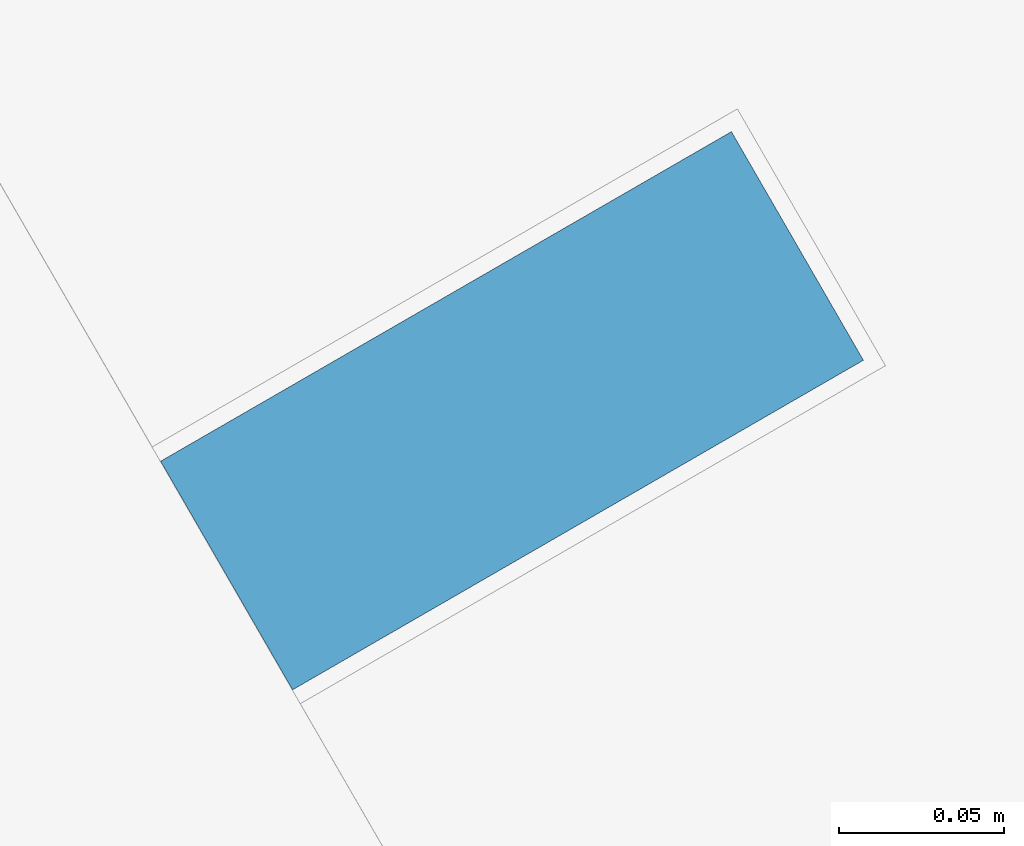
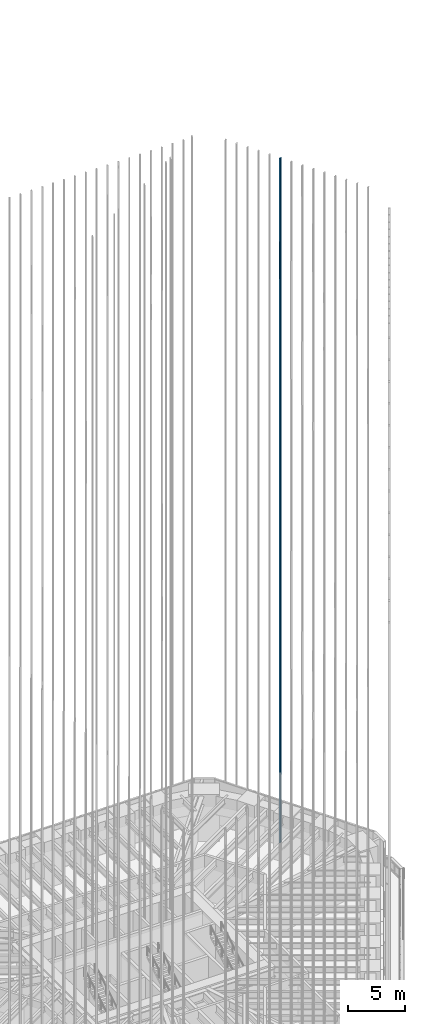
# One storey, part 188 of 228: 1 member, 1 element without a shape of its own.
"""IFC4 building model written with IfcOpenShell, lengths in metres."""

from ifc_helpers import new_model, si_unit, direction, frame, origin, origin_2d, place, context, subcontext, project, spatial, rectangle, extrude, material, material_profile, profile_set, type_object, element, aggregate, save


model = new_model("IFC4")

# Units and contexts
model_context = context("Model", 3, precision=1e-05, world=origin(), true_north=direction((0.0, 1.0)))
body_context = subcontext(model_context, "Body", "Model", "MODEL_VIEW")
ifc_project = project(units=[si_unit("LENGTHUNIT", "METRE"), si_unit("AREAUNIT", "SQUARE_METRE"), si_unit("VOLUMEUNIT", "CUBIC_METRE"), si_unit("PLANEANGLEUNIT", "RADIAN"), si_unit("MASSUNIT", "GRAM", prefix="KILO")], contexts=[model_context])

# Site, building, storey
site_placement = place(None, origin())
site = spatial("IfcSite", under=ifc_project, at=site_placement, CompositionType="ELEMENT")
building_placement = place(site_placement, origin())
building = spatial("IfcBuilding", under=site, at=building_placement, Name="Sandreach Pilgrim Tower", CompositionType="ELEMENT")
storey_placement = place(building_placement, frame((0.0, 0.0, 178.199951171875)))
storey = spatial("IfcBuildingStorey", under=building, at=storey_placement, Name="L44", CompositionType="ELEMENT", Elevation=178.199951171875)

# Curtain wall, member
ifc_material_1 = material(Name="Aluminium framed curtain wall", Category="aluminium")
curtain_wall_type = type_object("IfcCurtainWallType", Name="Upper hotel tower curtain wall", PredefinedType="NOTDEFINED", material=ifc_material_1)
curtain_wall_placement = place(storey_placement, origin())
curtain_wall = element("IfcCurtainWall", 1, at=curtain_wall_placement, inside=storey, type_object=curtain_wall_type, Name="CW-3 L44 NE", PredefinedType="NOTDEFINED")
ifc_material_2 = material(Name="Extruded terracotta on aluminium core", Category="masonry")
ifc_material_profile = material_profile(ifc_material_2, rectangle(XDim=0.080078125, YDim=0.199951171875, at=origin_2d()), Name="TBE 80X200")
ifc_profile_set = profile_set([ifc_material_profile], Name="Extruded terracotta on aluminium core")
member_type = type_object("IfcMemberType", Name="Terracotta baguette east", PredefinedType="USERDEFINED", material=ifc_profile_set)
member_placement = place(storey_placement, frame((22.485107421875, 14.905029296875, 0.0), z_axis=(0.0, 0.0, 1.0), x_axis=(0.5, -0.866025403784, 0.0)))
member = element("IfcMember", 2, at=member_placement, type_object=member_type, Name="Baguette Z3 NE06", ObjectType="BAGUETTE", PredefinedType="USERDEFINED", context=body_context, shape_type="SweptSolid", body=[
    extrude(rectangle(XDim=0.080078125, YDim=0.199951171875, at=origin_2d()), origin(), (0.0, 0.0, 1.0), 73.239990234375),
])
aggregate(curtain_wall, [member])

save(model, "model.ifc")
